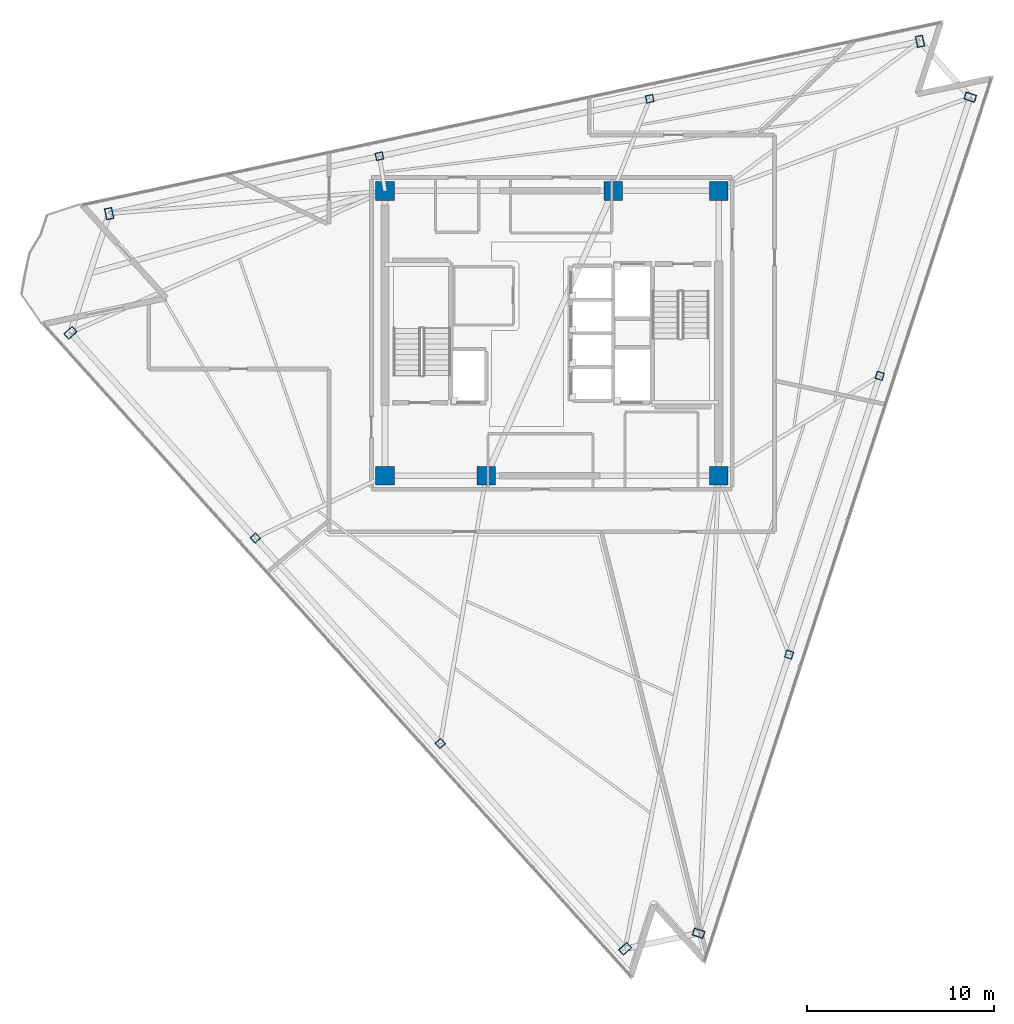
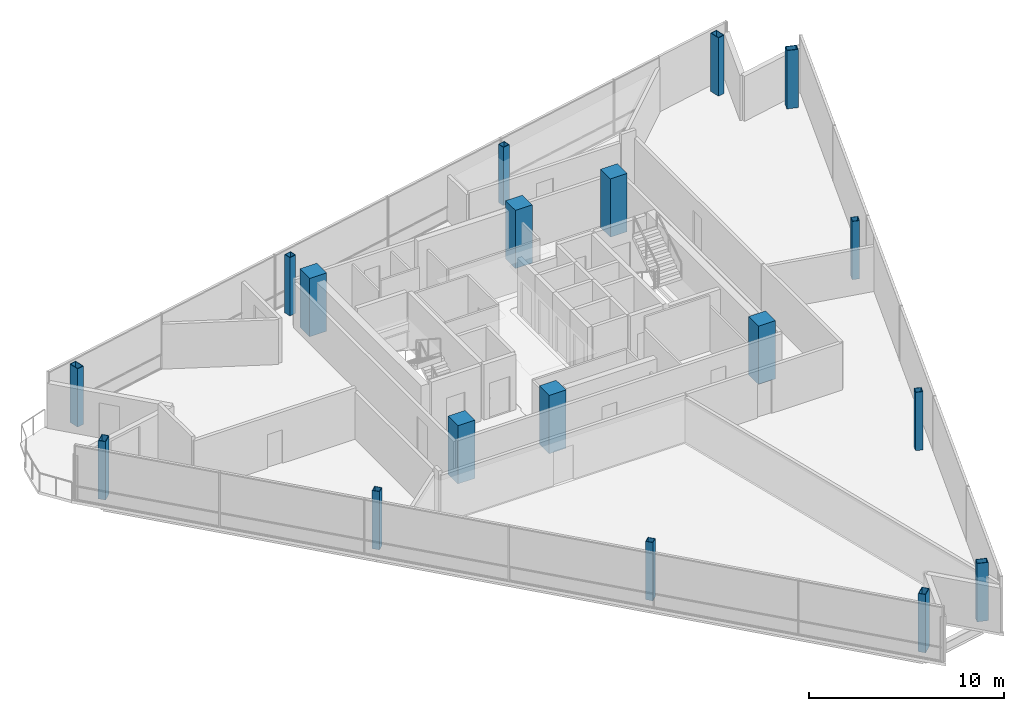
# One storey, part 1 of 15: 18 columns.
"""IFC4 building model written with IfcOpenShell, lengths in metres."""

import ifcopenshell
import ifcopenshell.guid

model = None  # the IFC model being written
_history = None  # IfcOwnerHistory: only IFC2X3 demands one
_inside = {}  # id of a spatial element -> (the spatial element, [elements in it])
_under = {}  # id of a project, library or spatial element -> (it, [spatial elements below it])
_declared = {}  # id of a project -> (the project, [libraries it declares])
_typed = {}  # id of a type object -> (the type object, [elements of that type])
_made_of = {}  # id of a material, layer set ... -> (it, [elements and type objects made of it])


def new_model(schema):
    """Start an empty IFC model of exactly this schema.

    Asked for "IFC4X3", IfcOpenShell would pick the latest addendum, in which some entities
    have other attributes; the version numbers below select the first issue.
    IFC2X3 requires an IfcOwnerHistory on every rooted entity: one is made here for all.
    """
    global model, _history
    if schema == "IFC4X3":
        model = ifcopenshell.file(schema_version=(4, 3, 0, 0))
    else:
        model = ifcopenshell.file(schema=schema)
    _inside.clear()
    _under.clear()
    _declared.clear()
    _typed.clear()
    _made_of.clear()
    _history = None
    if model.schema == "IFC2X3":
        org = make("IfcOrganization", Name="unknown")
        user = make(
            "IfcPersonAndOrganization",
            ThePerson=make("IfcPerson", FamilyName="unknown"),
            TheOrganization=org,
        )
        app = make(
            "IfcApplication",
            ApplicationDeveloper=org,
            Version="unknown",
            ApplicationFullName="unknown",
            ApplicationIdentifier="unknown",
        )
        _history = make(
            "IfcOwnerHistory",
            OwningUser=user,
            OwningApplication=app,
            ChangeAction="ADDED",
            CreationDate=0,
        )
    return model


def make(cls, **values):
    """One entity of the class cls with the attributes given. An attribute that is None is left unset."""
    return model.create_entity(
        cls, **{name: value for name, value in values.items() if value is not None}
    )


def rooted(cls, **values):
    """An entity with a GlobalId (a new one), such as an element, a storey or a relation."""
    return make(cls, GlobalId=ifcopenshell.guid.new(), OwnerHistory=_history, **values)


def si_unit(unit_type, name, prefix=None):
    """IfcSIUnit, for example si_unit("LENGTHUNIT", "METRE", prefix="MILLI")."""
    return make("IfcSIUnit", UnitType=unit_type, Prefix=prefix, Name=name)


def assignment(units):
    """IfcUnitAssignment: the units of a project."""
    return None if units is None else make("IfcUnitAssignment", Units=units)


def point(xyz):
    """IfcCartesianPoint."""
    return None if xyz is None else make("IfcCartesianPoint", Coordinates=xyz)


def direction(xyz):
    """IfcDirection."""
    return None if xyz is None else make("IfcDirection", DirectionRatios=xyz)


def frame(location, z_axis=None, x_axis=None):
    """IfcAxis2Placement3D, a coordinate frame: its origin and axes. An axis left out is left unset."""
    return make(
        "IfcAxis2Placement3D",
        Location=point(location),
        Axis=direction(z_axis),
        RefDirection=direction(x_axis),
    )


def frame_2d(location, x_axis=None):
    """IfcAxis2Placement2D, a coordinate frame in the plane: its origin and x axis."""
    return make(
        "IfcAxis2Placement2D", Location=point(location), RefDirection=direction(x_axis)
    )


def origin():
    """The frame at (0, 0, 0) with its axes left unset."""
    return frame((0.0, 0.0, 0.0))


def origin_2d():
    """The frame at (0, 0) in the plane with its x axis left unset."""
    return frame_2d((0.0, 0.0))


def place(relative_to, where):
    """IfcLocalPlacement: puts the frame where relative to a parent placement (None: the world)."""
    return make(
        "IfcLocalPlacement", PlacementRelTo=relative_to, RelativePlacement=where
    )


def context(
    kind, dimensions, precision=None, world=None, true_north=None, identifier=None
):
    """IfcGeometricRepresentationContext, for example the 3D "Model" context."""
    return make(
        "IfcGeometricRepresentationContext",
        ContextIdentifier=identifier,
        ContextType=kind,
        CoordinateSpaceDimension=dimensions,
        Precision=precision,
        WorldCoordinateSystem=world,
        TrueNorth=true_north,
    )


def subcontext(parent, identifier, kind, view, scale=None):
    """IfcGeometricRepresentationSubContext, for example "Body" below "Model"."""
    return make(
        "IfcGeometricRepresentationSubContext",
        ContextIdentifier=identifier,
        ContextType=kind,
        ParentContext=parent,
        TargetScale=scale,
        TargetView=view,
    )


def project(units=None, contexts=None):
    """IfcProject with its units and contexts."""
    return rooted(
        "IfcProject",
        Name="project",
        RepresentationContexts=contexts,
        UnitsInContext=assignment(units),
    )


def spatial(cls, under=None, at=None, **own):
    """A site, building, storey or space (cls), placed at a placement, below another one or the project."""
    s = rooted(cls, ObjectPlacement=at, **own)
    if under is not None:
        _under.setdefault(under.id(), (under, []))[1].append(s)
    return s


def profile(cls, at=None, kind="AREA", **sizes):
    """A parametric profile (cls). Its sizes go by their IFC names, for example OverallWidth=200.0."""
    return make(cls, ProfileType=kind, Position=at, **sizes)


def rectangle(**sizes):
    """IfcRectangleProfileDef."""
    return profile("IfcRectangleProfileDef", **sizes)


def hollow_rectangle(**sizes):
    """IfcRectangleHollowProfileDef."""
    return profile("IfcRectangleHollowProfileDef", **sizes)


def extrude(swept, where, along, depth):
    """IfcExtrudedAreaSolid: the profile swept, set in the frame where, extruded along a direction by depth."""
    return make(
        "IfcExtrudedAreaSolid",
        SweptArea=swept,
        Position=where,
        ExtrudedDirection=direction(along),
        Depth=depth,
    )


def shape(context_of_items, identifier, shape_type, items):
    """IfcShapeRepresentation: the items that make up one representation, for example the "Body"."""
    return make(
        "IfcShapeRepresentation",
        ContextOfItems=context_of_items,
        RepresentationIdentifier=identifier,
        RepresentationType=shape_type,
        Items=items,
    )


def material(Name=None, Category=None):
    """IfcMaterial."""
    return make("IfcMaterial", Name=Name, Category=Category)


def material_profile(
    of_material, cross_section, Name=None, Category=None, Priority=None
):
    """IfcMaterialProfile: a cross section and its material."""
    return make(
        "IfcMaterialProfile",
        Name=Name,
        Material=of_material,
        Profile=cross_section,
        Priority=Priority,
        Category=Category,
    )


def profile_set(profiles, Name=None, composite=None):
    """IfcMaterialProfileSet."""
    return make(
        "IfcMaterialProfileSet",
        Name=Name,
        MaterialProfiles=profiles,
        CompositeProfile=composite,
    )


def made_of(thing, what):
    """Note that an element or type object is made of a material, layer set ...; save() writes the relation."""
    if what is not None:
        _made_of.setdefault(what.id(), (what, []))[1].append(thing)
    return thing


def type_object(cls, material=None, **own):
    """A type object (cls), such as IfcWallType, which elements share."""
    return made_of(rooted(cls, **own), material)


def element(
    cls,
    number,
    at=None,
    inside=None,
    cuts=None,
    type_object=None,
    material=None,
    context=None,
    identifier="Body",
    shape_type=None,
    held_by="IfcProductDefinitionShape",
    body=None,
    shapes=None,
    **own,
):
    """One element of the class cls, such as IfcWall. Its Tag is "e" and its number.

    at: its placement. inside: the storey or other place that contains it. cuts: it is an
    opening in that element (IfcRelVoidsElement). A single representation is given by context,
    identifier, shape_type and body (its items); several are given by shapes. held_by: the class
    of the entity that holds the representations. save() writes the other relations.
    """
    e = rooted(cls, Tag="e%d" % number, ObjectPlacement=at, **own)
    if body is not None:
        shapes = [shape(context, identifier, shape_type, body)]
    if shapes is not None:
        e.Representation = make(held_by, Representations=shapes)
    if inside is not None:
        _inside.setdefault(inside.id(), (inside, []))[1].append(e)
    if cuts is not None:
        rooted(
            "IfcRelVoidsElement", RelatingBuildingElement=cuts, RelatedOpeningElement=e
        )
    if type_object is not None:
        _typed.setdefault(type_object.id(), (type_object, []))[1].append(e)
    return made_of(e, material)


def aggregate(whole, parts):
    """IfcRelAggregates: a whole, such as a stair, and the parts it consists of."""
    return rooted("IfcRelAggregates", RelatingObject=whole, RelatedObjects=parts)


def save(model, path):
    """Write the relations noted so far, then the file.

    IfcRelAggregates (storeys below a building ...), IfcRelContainedInSpatialStructure (elements
    in a storey), IfcRelDefinesByType, IfcRelAssociatesMaterial and IfcRelDeclares: one each for
    every whole, place, type object, material and project.
    """
    for whole, parts in _under.values():
        aggregate(whole, parts)
    for where, things in _inside.values():
        rooted(
            "IfcRelContainedInSpatialStructure",
            RelatedElements=things,
            RelatingStructure=where,
        )
    for kind, things in _typed.values():
        rooted("IfcRelDefinesByType", RelatedObjects=things, RelatingType=kind)
    for what, things in _made_of.values():
        rooted("IfcRelAssociatesMaterial", RelatedObjects=things, RelatingMaterial=what)
    for by, libraries in _declared.values():
        rooted("IfcRelDeclares", RelatingContext=by, RelatedDefinitions=libraries)
    model.write(path)


model = new_model("IFC4")

# Units and contexts
model_context = context("Model", 3, precision=1e-05, world=origin(), true_north=direction((0.0, 1.0)))
body_context = subcontext(model_context, "Body", "Model", "MODEL_VIEW")
ifc_project = project(units=[si_unit("LENGTHUNIT", "METRE"), si_unit("AREAUNIT", "SQUARE_METRE"), si_unit("VOLUMEUNIT", "CUBIC_METRE"), si_unit("PLANEANGLEUNIT", "RADIAN"), si_unit("MASSUNIT", "GRAM", prefix="KILO")], contexts=[model_context])

# Site, building, storey
site_placement = place(None, origin())
site = spatial("IfcSite", under=ifc_project, at=site_placement, CompositionType="ELEMENT")
building_placement = place(site_placement, origin())
building = spatial("IfcBuilding", under=site, at=building_placement, Name="Tharavind Bronze Gate", CompositionType="ELEMENT")
storey_placement = place(building_placement, frame((0.0, 0.0, 290.699951171875)))
storey = spatial("IfcBuildingStorey", under=building, at=storey_placement, Name="L75", CompositionType="ELEMENT", Elevation=290.699951171875)

# Columns
ifc_material_1 = material(Name="Steel S460", Category="steel")
ifc_material_profile_1 = material_profile(ifc_material_1, hollow_rectangle(XDim=0.39990234375, YDim=0.60009765625, WallThickness=0.030029296875, at=origin_2d()), Name="RHS600X400X30")
ifc_profile_set_1 = profile_set([ifc_material_profile_1], Name="Steel S460")
column_type_1 = type_object("IfcColumnType", Name="CORNER NOTCH COLUMN RHS600X400", PredefinedType="COLUMN", material=ifc_profile_set_1)
for number, where, z_axis, x_axis, name in (
    (1, (-25.6787109375, 0.03173828125, 0.0), (0.0, 0.0, 1.0), (-0.669130606359, 0.743144825477, 0.0), "L75 perimeter column S1C1"),
    (2, (3.908935546875, -32.82861328125, 0.0), (0.0, 0.0, 1.0), (-0.669130606359, 0.743144825477, 0.0), "L75 perimeter column S1C4"),
    (3, (7.829345703125, -31.99560546875, 0.0), (0.0, 0.0, 1.0), (0.309018654281, 0.951055976957, 0.0), "L75 perimeter column S2C1"),
    (4, (22.319091796875, 12.599609375, 0.0), (0.0, 0.0, 1.0), (0.309018654281, 0.951055976957, 0.0), "L75 perimeter column S2C4"),
    (5, (19.63720703125, 15.578125, 0.0), (0.0, 0.0, 1.0), (0.978147237858, 0.207913398007, 0.0), "L75 perimeter column S3C1"),
    (6, (-23.614501953125, 6.384765625, 0.0), (0.0, 0.0, 1.0), (0.978147237858, 0.207913398007, 0.0), "L75 perimeter column S3C4"),
):
    element("IfcColumn", number, at=place(storey_placement, frame(where, z_axis=z_axis, x_axis=x_axis)), inside=storey, type_object=column_type_1, Name=name, PredefinedType="COLUMN", context=body_context, shape_type="SweptSolid", body=[
        extrude(hollow_rectangle(XDim=0.39990234375, YDim=0.60009765625, WallThickness=0.030029296875, at=origin_2d()), origin(), (0.0, 0.0, 1.0), 3.650146484375),
    ])
ifc_material_2 = material(Name="Concrete C50/60", Category="concrete")
ifc_material_profile_2 = material_profile(ifc_material_2, rectangle(XDim=1.0, YDim=1.0, at=origin_2d()), Name="RCCOL1000")
ifc_profile_set_2 = profile_set([ifc_material_profile_2], Name="Concrete C50/60")
column_type_2 = type_object("IfcColumnType", Name="MEGA CORE COLUMN 1000", PredefinedType="COLUMN", material=ifc_profile_set_2)
for number, where, z_axis, x_axis, name in (
    (7, (-8.89990234375, -7.60009765625, 0.0), (0.0, 0.0, 1.0), (1.0, 0.0, 0.0), "L75 core mega column MC1"),
    (8, (-3.5, -7.60009765625, 0.0), (0.0, 0.0, 1.0), (1.0, 0.0, 0.0), "L75 core mega column MC2"),
    (9, (8.89990234375, -7.60009765625, 0.0), (0.0, 0.0, 1.0), (1.0, 0.0, 0.0), "L75 core mega column MC3"),
    (10, (8.89990234375, 7.60009765625, 0.0), (0.0, 0.0, 1.0), (1.0, 0.0, 0.0), "L75 core mega column MC4"),
    (11, (3.280029296875, 7.60009765625, 0.0), (0.0, 0.0, 1.0), (1.0, 0.0, 0.0), "L75 core mega column MC5"),
    (12, (-8.89990234375, 7.60009765625, 0.0), (0.0, 0.0, 1.0), (1.0, 0.0, 0.0), "L75 core mega column MC6"),
):
    element("IfcColumn", number, at=place(storey_placement, frame(where, z_axis=z_axis, x_axis=x_axis)), inside=storey, type_object=column_type_2, Name=name, PredefinedType="COLUMN", context=body_context, shape_type="SweptSolid", body=[
        extrude(rectangle(XDim=1.0, YDim=1.0, at=origin_2d()), origin(), (0.0, 0.0, 1.0), 3.650146484375),
    ])
ifc_material_profile_3 = material_profile(ifc_material_1, hollow_rectangle(XDim=0.39990234375, YDim=0.39990234375, WallThickness=0.02490234375, at=origin_2d()), Name="SHS400X25")
ifc_profile_set_3 = profile_set([ifc_material_profile_3], Name="Steel S460")
column_type_3 = type_object("IfcColumnType", Name="PERIMETER BOX COLUMN SHS400", PredefinedType="COLUMN", material=ifc_profile_set_3)
for number, where, z_axis, x_axis, name in (
    (13, (-15.816162109375, -10.921875, 0.0), (0.0, 0.0, 1.0), (-0.669130606359, 0.743144825477, 0.0), "L75 perimeter column S1C2"),
    (14, (-5.95361328125, -21.875244140625, 0.0), (0.0, 0.0, 1.0), (-0.669130606359, 0.743144825477, 0.0), "L75 perimeter column S1C3"),
    (15, (12.6591796875, -17.130615234375, 0.0), (0.0, 0.0, 1.0), (0.309018654281, 0.951055976957, 0.0), "L75 perimeter column S2C2"),
    (16, (17.4892578125, -2.265380859375, 0.0), (0.0, 0.0, 1.0), (0.309018654281, 0.951055976957, 0.0), "L75 perimeter column S2C3"),
    (17, (5.219970703125, 12.513671875, 0.0), (0.0, 0.0, 1.0), (0.978147237858, 0.207913398007, 0.0), "L75 perimeter column S3C2"),
    (18, (-9.197265625, 9.44921875, 0.0), (0.0, 0.0, 1.0), (0.978147237858, 0.207913398007, 0.0), "L75 perimeter column S3C3"),
):
    element("IfcColumn", number, at=place(storey_placement, frame(where, z_axis=z_axis, x_axis=x_axis)), inside=storey, type_object=column_type_3, Name=name, PredefinedType="COLUMN", context=body_context, shape_type="SweptSolid", body=[
        extrude(hollow_rectangle(XDim=0.39990234375, YDim=0.39990234375, WallThickness=0.02490234375, at=origin_2d()), origin(), (0.0, 0.0, 1.0), 3.650146484375),
    ])

save(model, "model.ifc")
